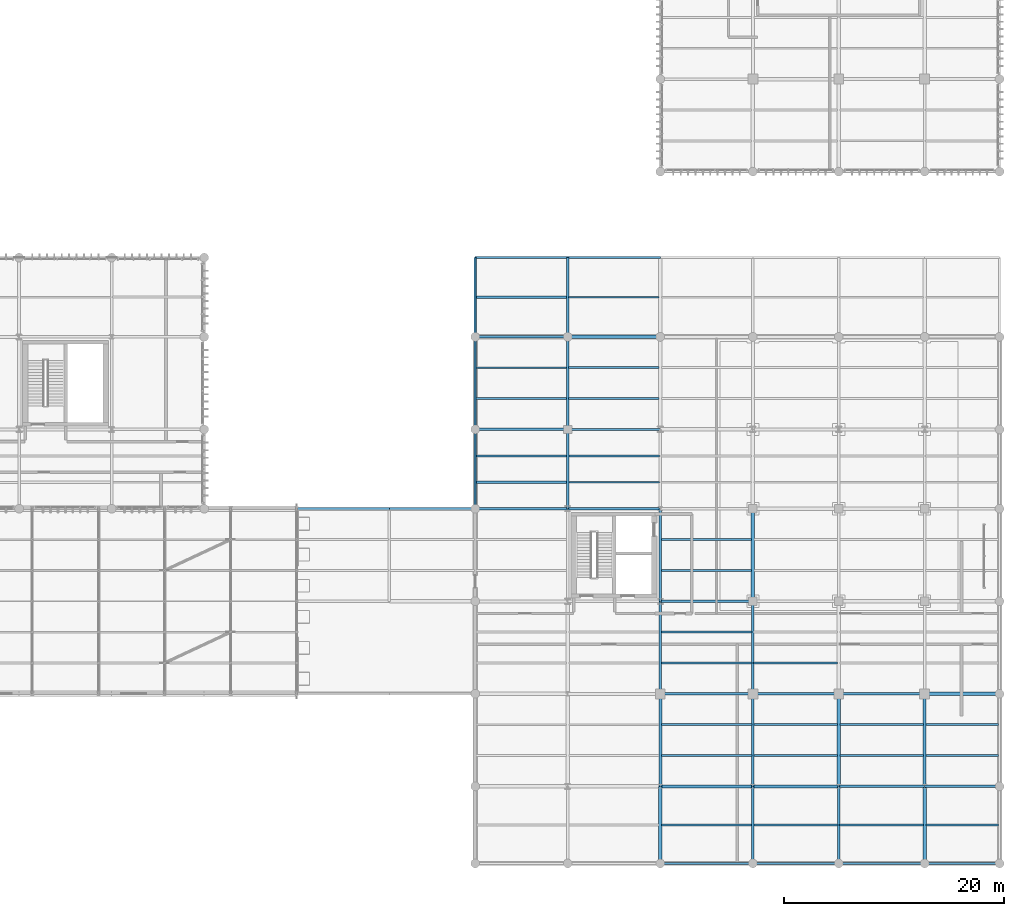
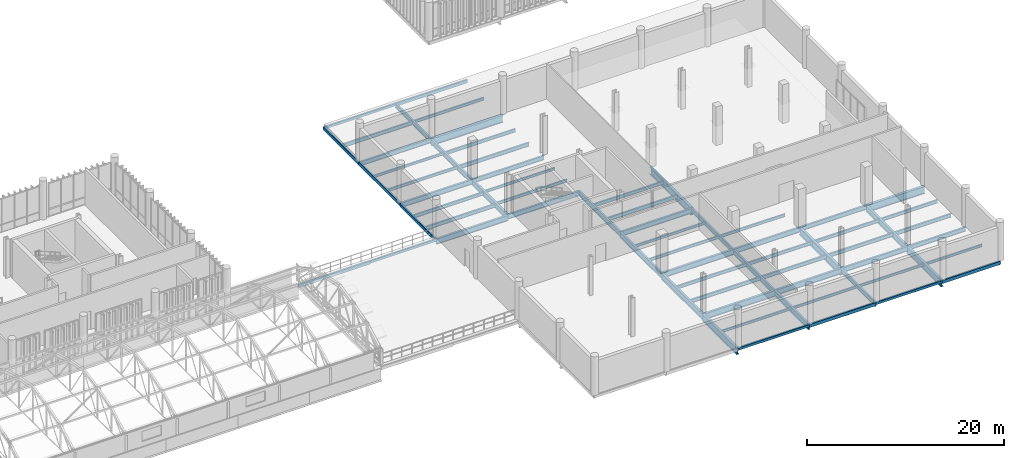
# One storey, part 59 of 109: 68 beams.
"""IFC4 building model written with IfcOpenShell, lengths in metres."""

from ifc_helpers import new_model, si_unit, direction, frame, origin_with_axes, origin_2d_with_axis, place, context, subcontext, project, spatial, hollow_rectangle, i_section, extrude, material, material_profile, profile_set, type_object, element, save


model = new_model("IFC4")

# Units and contexts
model_context = context("Model", 3, precision=1e-05, world=origin_with_axes(), true_north=direction((0.0, 1.0)))
body_context = subcontext(model_context, "Body", "Model", "MODEL_VIEW")
ifc_project = project(units=[si_unit("LENGTHUNIT", "METRE"), si_unit("AREAUNIT", "SQUARE_METRE"), si_unit("VOLUMEUNIT", "CUBIC_METRE"), si_unit("PLANEANGLEUNIT", "RADIAN"), si_unit("MASSUNIT", "GRAM", prefix="KILO"), si_unit("THERMODYNAMICTEMPERATUREUNIT", "KELVIN")], contexts=[model_context])

# Site, building, storey
site_placement = place(None, origin_with_axes())
site = spatial("IfcSite", under=ifc_project, at=site_placement, CompositionType="ELEMENT")
building_placement = place(site_placement, origin_with_axes())
building = spatial("IfcBuilding", under=site, at=building_placement, Name="Montbau Bow Law Courts", CompositionType="ELEMENT")
storey_placement = place(building_placement, frame((0.0, 0.0, 10.8), z_axis=(0.0, 0.0, 1.0), x_axis=(1.0, 0.0, 0.0)))
storey = spatial("IfcBuildingStorey", under=building, at=storey_placement, Name="L02", CompositionType="ELEMENT", Elevation=10.8)

# Beams
ifc_material_1 = material(Name="Steel CSA G40.21 Grade 350W (350 MPa)", Category="steel")
ifc_material_profile_1 = material_profile(ifc_material_1, i_section(OverallWidth=0.306, OverallDepth=0.919, WebThickness=0.0173, FlangeThickness=0.0279, at=origin_2d_with_axis()), Name="W920X253", Category="Main", Priority=0)
ifc_profile_set_1 = profile_set([ifc_material_profile_1], Name="Steel CSA G40.21 Grade 350W (350 MPa)")
beam_type_1 = type_object("IfcBeamType", Name="B-FLR-01", PredefinedType="BEAM", material=ifc_profile_set_1)
beam_1_placement = place(None, frame((162.6, 22.2, 10.12), z_axis=(1.0, 0.0, 0.0), x_axis=(0.0, 1.0, 0.0)))
element("IfcBeam", 1, at=beam_1_placement, inside=storey, type_object=beam_type_1, Name="BM-L02-S1547:bm2_1550", PredefinedType="BEAM", context=body_context, shape_type="SweptSolid", body=[
    extrude(i_section(OverallWidth=0.306, OverallDepth=0.919, WebThickness=0.0173, FlangeThickness=0.0279, at=origin_2d_with_axis()), origin_with_axes(), (0.0, 0.0, 1.0), 6.8),
])
for number, where, z_axis, x_axis, name in (
    (2, (130.2, 54.6, 10.091), (1.0, 0.0, 0.0), (0.0, 1.0, 0.0), "BM-L02-S1567:bm2_1570"),
    (3, (147.0, 30.6, 10.12), (0.0, 1.0, 0.0), (-1.0, 0.0, 0.0), "BM-L02-S1600:bm2_1603"),
    (4, (154.8, 13.8, 10.12), (0.0, 1.0, 0.0), (-1.0, 0.0, 0.0), "BM-L02-S1605:bm2_1608"),
):
    element("IfcBeam", number, at=place(None, frame(where, z_axis=z_axis, x_axis=x_axis)), inside=storey, type_object=beam_type_1, Name=name, PredefinedType="BEAM", context=body_context, shape_type="SweptSolid", body=[
        extrude(i_section(OverallWidth=0.306, OverallDepth=0.919, WebThickness=0.0173, FlangeThickness=0.0279, at=origin_2d_with_axis()), origin_with_axes(), (0.0, 0.0, 1.0), 8.4),
    ])
ifc_material_profile_2 = material_profile(ifc_material_1, i_section(OverallWidth=0.293, OverallDepth=0.846, WebThickness=0.0154, FlangeThickness=0.0244, at=origin_2d_with_axis()), Name="W840X210", Category="Main", Priority=0)
ifc_profile_set_2 = profile_set([ifc_material_profile_2], Name="Steel CSA G40.21 Grade 350W (350 MPa)")
beam_type_2 = type_object("IfcBeamType", Name="B-FLR-02", PredefinedType="BEAM", material=ifc_profile_set_2)
for number, where, z_axis, x_axis, name in (
    (5, (138.6, 6.8, 10.157), (0.0, 1.0, 0.0), (-1.0, 0.0, 0.0), "BM-L02-S1590:bm2_1593"),
    (6, (162.6, 6.8, 10.157), (0.0, 1.0, 0.0), (-1.0, 0.0, 0.0), "BM-L02-S1611:bm2_1614"),
):
    element("IfcBeam", number, at=place(None, frame(where, z_axis=z_axis, x_axis=x_axis)), inside=storey, type_object=beam_type_2, Name=name, PredefinedType="BEAM", context=body_context, shape_type="SweptSolid", body=[
        extrude(i_section(OverallWidth=0.293, OverallDepth=0.846, WebThickness=0.0154, FlangeThickness=0.0244, at=origin_2d_with_axis()), origin_with_axes(), (0.0, 0.0, 1.0), 7.0),
    ])
ifc_material_profile_3 = material_profile(ifc_material_1, i_section(OverallWidth=0.267, OverallDepth=0.766, WebThickness=0.0149, FlangeThickness=0.0236, at=origin_2d_with_axis()), Name="W760X185", Category="Main", Priority=0)
ifc_profile_set_3 = profile_set([ifc_material_profile_3], Name="Steel CSA G40.21 Grade 350W (350 MPa)")
beam_type_3 = type_object("IfcBeamType", Name="B-FLR-03", PredefinedType="BEAM", material=ifc_profile_set_3)
for number, where, z_axis, x_axis, name in (
    (7, (138.6, 13.8, 10.197), (1.0, 0.0, 0.0), (0.0, 1.0, 0.0), "BM-L02-S1538:bm2_1541"),
    (8, (138.6, 13.8, 10.197), (0.0, 1.0, 0.0), (-1.0, 0.0, 0.0), "BM-L02-S1591:bm2_1594"),
    (9, (162.6, 13.8, 10.197), (0.0, 1.0, 0.0), (-1.0, 0.0, 0.0), "BM-L02-S1612:bm2_1615"),
):
    element("IfcBeam", number, at=place(None, frame(where, z_axis=z_axis, x_axis=x_axis)), inside=storey, type_object=beam_type_3, Name=name, PredefinedType="BEAM", context=body_context, shape_type="SweptSolid", body=[
        extrude(i_section(OverallWidth=0.267, OverallDepth=0.766, WebThickness=0.0149, FlangeThickness=0.0236, at=origin_2d_with_axis()), origin_with_axes(), (0.0, 0.0, 1.0), 8.4),
    ])
ifc_material_profile_4 = material_profile(ifc_material_1, i_section(OverallWidth=0.254, OverallDepth=0.688, WebThickness=0.0131, FlangeThickness=0.0211, at=origin_2d_with_axis()), Name="W690X152", Category="Main", Priority=0)
ifc_profile_set_4 = profile_set([ifc_material_profile_4], Name="Steel CSA G40.21 Grade 350W (350 MPa)")
beam_type_4 = type_object("IfcBeamType", Name="B-FLR-04", PredefinedType="BEAM", material=ifc_profile_set_4)
beam_2_placement = place(None, frame((147.0, 13.8, 10.236), z_axis=(1.0, 0.0, 0.0), x_axis=(0.0, 1.0, 0.0)))
element("IfcBeam", 10, at=beam_2_placement, inside=storey, type_object=beam_type_4, Name="BM-L02-S1539:bm2_1542", PredefinedType="BEAM", context=body_context, shape_type="SweptSolid", body=[
    extrude(i_section(OverallWidth=0.254, OverallDepth=0.688, WebThickness=0.0131, FlangeThickness=0.0211, at=origin_2d_with_axis()), origin_with_axes(), (0.0, 0.0, 1.0), 7.8),
])
for number, where, z_axis, x_axis, name in (
    (11, (138.6, 22.2, 10.236), (1.0, 0.0, 0.0), (0.0, 1.0, 0.0), "BM-L02-S1544:bm2_1547"),
    (12, (121.8, 39.0, 10.136), (1.0, 0.0, 0.0), (0.0, 1.0, 0.0), "BM-L02-S1554:bm2_1557"),
):
    element("IfcBeam", number, at=place(None, frame(where, z_axis=z_axis, x_axis=x_axis)), inside=storey, type_object=beam_type_4, Name=name, PredefinedType="BEAM", context=body_context, shape_type="SweptSolid", body=[
        extrude(i_section(OverallWidth=0.254, OverallDepth=0.688, WebThickness=0.0131, FlangeThickness=0.0211, at=origin_2d_with_axis()), origin_with_axes(), (0.0, 0.0, 1.0), 8.4),
    ])
beam_3_placement = place(None, frame((130.2, 39.0, 10.236), z_axis=(0.0, 1.0, 0.0), x_axis=(-1.0, 0.0, 0.0)))
element("IfcBeam", 13, at=beam_3_placement, inside=storey, type_object=beam_type_4, Name="BM-L02-S1587:bm2_1590", PredefinedType="BEAM", context=body_context, shape_type="SweptSolid", body=[
    extrude(i_section(OverallWidth=0.254, OverallDepth=0.688, WebThickness=0.0131, FlangeThickness=0.0211, at=origin_2d_with_axis()), origin_with_axes(), (0.0, 0.0, 1.0), 7.2),
])
beam_4_placement = place(None, frame((138.6, 22.2, 10.236), z_axis=(0.0, 1.0, 0.0), x_axis=(-1.0, 0.0, 0.0)))
element("IfcBeam", 14, at=beam_4_placement, inside=storey, type_object=beam_type_4, Name="BM-L02-S1592:bm2_1595", PredefinedType="BEAM", context=body_context, shape_type="SweptSolid", body=[
    extrude(i_section(OverallWidth=0.254, OverallDepth=0.688, WebThickness=0.0131, FlangeThickness=0.0211, at=origin_2d_with_axis()), origin_with_axes(), (0.0, 0.0, 1.0), 8.4),
])
beam_5_placement = place(None, frame((147.0, 6.8, 10.236), z_axis=(0.0, 1.0, 0.0), x_axis=(-1.0, 0.0, 0.0)))
element("IfcBeam", 15, at=beam_5_placement, inside=storey, type_object=beam_type_4, Name="BM-L02-S1597:bm2_1600", PredefinedType="BEAM", context=body_context, shape_type="SweptSolid", body=[
    extrude(i_section(OverallWidth=0.254, OverallDepth=0.688, WebThickness=0.0131, FlangeThickness=0.0211, at=origin_2d_with_axis()), origin_with_axes(), (0.0, 0.0, 1.0), 7.0),
])
ifc_material_profile_5 = material_profile(ifc_material_1, i_section(OverallWidth=0.229, OverallDepth=0.612, WebThickness=0.0119, FlangeThickness=0.0196, at=origin_2d_with_axis()), Name="W610X125", Category="Main", Priority=0)
ifc_profile_set_5 = profile_set([ifc_material_profile_5], Name="Steel CSA G40.21 Grade 350W (350 MPa)")
beam_type_5 = type_object("IfcBeamType", Name="B-FLR-05", PredefinedType="BEAM", material=ifc_profile_set_5)
for number, where, z_axis, x_axis, name in (
    (16, (154.8, 13.8, 10.274), (1.0, 0.0, 0.0), (0.0, 1.0, 0.0), "BM-L02-S1540:bm2_1543"),
    (17, (147.0, 22.2, 10.274), (1.0, 0.0, 0.0), (0.0, 1.0, 0.0), "BM-L02-S1545:bm2_1548"),
):
    element("IfcBeam", number, at=place(None, frame(where, z_axis=z_axis, x_axis=x_axis)), inside=storey, type_object=beam_type_5, Name=name, PredefinedType="BEAM", context=body_context, shape_type="SweptSolid", body=[
        extrude(i_section(OverallWidth=0.229, OverallDepth=0.612, WebThickness=0.0119, FlangeThickness=0.0196, at=origin_2d_with_axis()), origin_with_axes(), (0.0, 0.0, 1.0), 7.8),
    ])
for number, where, z_axis, x_axis, name in (
    (18, (138.6, 30.6, 10.274), (1.0, 0.0, 0.0), (0.0, 1.0, 0.0), "BM-L02-S1550:bm2_1553"),
    (19, (130.2, 39.0, 10.274), (1.0, 0.0, 0.0), (0.0, 1.0, 0.0), "BM-L02-S1555:bm2_1558"),
    (20, (121.8, 46.2, 10.274), (1.0, 0.0, 0.0), (0.0, 1.0, 0.0), "BM-L02-S1560:bm2_1563"),
    (21, (130.2, 46.2, 10.244), (0.0, 1.0, 0.0), (-1.0, 0.0, 0.0), "BM-L02-S1588:bm2_1591"),
    (22, (138.6, 30.6, 10.274), (0.0, 1.0, 0.0), (-1.0, 0.0, 0.0), "BM-L02-S1593:bm2_1596"),
    (23, (147.0, 13.8, 10.274), (0.0, 1.0, 0.0), (-1.0, 0.0, 0.0), "BM-L02-S1598:bm2_1601"),
):
    element("IfcBeam", number, at=place(None, frame(where, z_axis=z_axis, x_axis=x_axis)), inside=storey, type_object=beam_type_5, Name=name, PredefinedType="BEAM", context=body_context, shape_type="SweptSolid", body=[
        extrude(i_section(OverallWidth=0.229, OverallDepth=0.612, WebThickness=0.0119, FlangeThickness=0.0196, at=origin_2d_with_axis()), origin_with_axes(), (0.0, 0.0, 1.0), 8.4),
    ])
ifc_material_profile_6 = material_profile(ifc_material_1, i_section(OverallWidth=0.21, OverallDepth=0.537, WebThickness=0.0109, FlangeThickness=0.0174, at=origin_2d_with_axis()), Name="W530X101", Category="Main", Priority=0)
ifc_profile_set_6 = profile_set([ifc_material_profile_6], Name="Steel CSA G40.21 Grade 350W (350 MPa)")
beam_type_6 = type_object("IfcBeamType", Name="B-FLR-06", PredefinedType="BEAM", material=ifc_profile_set_6)
beam_6_placement = place(None, frame((162.6, 13.8, 10.312), z_axis=(1.0, 0.0, 0.0), x_axis=(0.0, 1.0, 0.0)))
element("IfcBeam", 24, at=beam_6_placement, inside=storey, type_object=beam_type_6, Name="BM-L02-S1541:bm2_1544", PredefinedType="BEAM", context=body_context, shape_type="SweptSolid", body=[
    extrude(i_section(OverallWidth=0.21, OverallDepth=0.537, WebThickness=0.0109, FlangeThickness=0.0174, at=origin_2d_with_axis()), origin_with_axes(), (0.0, 0.0, 1.0), 6.8),
])
beam_7_placement = place(None, frame((154.8, 22.2, 10.312), z_axis=(1.0, 0.0, 0.0), x_axis=(0.0, 1.0, 0.0)))
element("IfcBeam", 25, at=beam_7_placement, inside=storey, type_object=beam_type_6, Name="BM-L02-S1546:bm2_1549", PredefinedType="BEAM", context=body_context, shape_type="SweptSolid", body=[
    extrude(i_section(OverallWidth=0.21, OverallDepth=0.537, WebThickness=0.0109, FlangeThickness=0.0174, at=origin_2d_with_axis()), origin_with_axes(), (0.0, 0.0, 1.0), 7.8),
])
for number, where, z_axis, x_axis, name in (
    (26, (130.2, 46.2, 10.312), (1.0, 0.0, 0.0), (0.0, 1.0, 0.0), "BM-L02-S1561:bm2_1564"),
    (27, (121.8, 54.6, 10.282), (1.0, 0.0, 0.0), (0.0, 1.0, 0.0), "BM-L02-S1566:bm2_1569"),
):
    element("IfcBeam", number, at=place(None, frame(where, z_axis=z_axis, x_axis=x_axis)), inside=storey, type_object=beam_type_6, Name=name, PredefinedType="BEAM", context=body_context, shape_type="SweptSolid", body=[
        extrude(i_section(OverallWidth=0.21, OverallDepth=0.537, WebThickness=0.0109, FlangeThickness=0.0174, at=origin_2d_with_axis()), origin_with_axes(), (0.0, 0.0, 1.0), 8.4),
    ])
beam_8_placement = place(None, frame((130.2, 54.6, 10.282), z_axis=(0.0, 1.0, 0.0), x_axis=(-1.0, 0.0, 0.0)))
element("IfcBeam", 28, at=beam_8_placement, inside=storey, type_object=beam_type_6, Name="BM-L02-S1589:bm2_1592", PredefinedType="BEAM", context=body_context, shape_type="SweptSolid", body=[
    extrude(i_section(OverallWidth=0.21, OverallDepth=0.537, WebThickness=0.0109, FlangeThickness=0.0174, at=origin_2d_with_axis()), origin_with_axes(), (0.0, 0.0, 1.0), 7.2),
])
beam_9_placement = place(None, frame((147.0, 22.2, 10.312), z_axis=(0.0, 1.0, 0.0), x_axis=(-1.0, 0.0, 0.0)))
element("IfcBeam", 29, at=beam_9_placement, inside=storey, type_object=beam_type_6, Name="BM-L02-S1599:bm2_1602", PredefinedType="BEAM", context=body_context, shape_type="SweptSolid", body=[
    extrude(i_section(OverallWidth=0.21, OverallDepth=0.537, WebThickness=0.0109, FlangeThickness=0.0174, at=origin_2d_with_axis()), origin_with_axes(), (0.0, 0.0, 1.0), 8.4),
])
beam_10_placement = place(None, frame((154.8, 6.8, 10.312), z_axis=(0.0, 1.0, 0.0), x_axis=(-1.0, 0.0, 0.0)))
element("IfcBeam", 30, at=beam_10_placement, inside=storey, type_object=beam_type_6, Name="BM-L02-S1604:bm2_1607", PredefinedType="BEAM", context=body_context, shape_type="SweptSolid", body=[
    extrude(i_section(OverallWidth=0.21, OverallDepth=0.537, WebThickness=0.0109, FlangeThickness=0.0174, at=origin_2d_with_axis()), origin_with_axes(), (0.0, 0.0, 1.0), 7.0),
])
ifc_material_profile_7 = material_profile(ifc_material_1, i_section(OverallWidth=0.191, OverallDepth=0.46, WebThickness=0.0099, FlangeThickness=0.016, at=origin_2d_with_axis()), Name="W460X82", Category="Main", Priority=0)
ifc_profile_set_7 = profile_set([ifc_material_profile_7], Name="Steel CSA G40.21 Grade 350W (350 MPa)")
beam_type_7 = type_object("IfcBeamType", Name="B-JST-01", PredefinedType="JOIST", material=ifc_profile_set_7)
beam_11_placement = place(None, frame((121.88, 41.4, 10.25), z_axis=(1.0, 0.0, 0.0), x_axis=(0.0, 1.0, 0.0)))
element("IfcBeam", 31, at=beam_11_placement, inside=storey, type_object=beam_type_7, Name="JST-L02-S0884:jst2_0884", PredefinedType="JOIST", context=body_context, shape_type="SweptSolid", body=[
    extrude(i_section(OverallWidth=0.191, OverallDepth=0.46, WebThickness=0.0099, FlangeThickness=0.016, at=origin_2d_with_axis()), origin_with_axes(), (0.0, 0.0, 1.0), 8.217),
])
beam_12_placement = place(None, frame((121.88, 58.2, 10.32), z_axis=(1.0, 0.0, 0.0), x_axis=(0.0, 1.0, 0.0)))
element("IfcBeam", 32, at=beam_12_placement, inside=storey, type_object=beam_type_7, Name="JST-L02-S0888:jst2_0888", PredefinedType="JOIST", context=body_context, shape_type="SweptSolid", body=[
    extrude(i_section(OverallWidth=0.191, OverallDepth=0.46, WebThickness=0.0099, FlangeThickness=0.016, at=origin_2d_with_axis()), origin_with_axes(), (0.0, 0.0, 1.0), 8.239),
])
beam_13_placement = place(None, frame((130.29, 49.0, 10.32), z_axis=(1.0, 0.0, 0.0), x_axis=(0.0, 1.0, 0.0)))
element("IfcBeam", 33, at=beam_13_placement, inside=storey, type_object=beam_type_7, Name="JST-L02-S0896:jst2_0896", PredefinedType="JOIST", context=body_context, shape_type="SweptSolid", body=[
    extrude(i_section(OverallWidth=0.191, OverallDepth=0.46, WebThickness=0.0099, FlangeThickness=0.016, at=origin_2d_with_axis()), origin_with_axes(), (0.0, 0.0, 1.0), 8.181),
])
beam_14_placement = place(None, frame((138.709, 16.6, 10.35), z_axis=(1.0, 0.0, 0.0), x_axis=(0.0, 1.0, 0.0)))
element("IfcBeam", 34, at=beam_14_placement, inside=storey, type_object=beam_type_7, Name="JST-L02-S0900:jst2_0900", PredefinedType="JOIST", context=body_context, shape_type="SweptSolid", body=[
    extrude(i_section(OverallWidth=0.191, OverallDepth=0.46, WebThickness=0.0099, FlangeThickness=0.016, at=origin_2d_with_axis()), origin_with_axes(), (0.0, 0.0, 1.0), 8.201),
])
beam_15_placement = place(None, frame((138.69, 33.4, 10.35), z_axis=(1.0, 0.0, 0.0), x_axis=(0.0, 1.0, 0.0)))
element("IfcBeam", 35, at=beam_15_placement, inside=storey, type_object=beam_type_7, Name="JST-L02-S0904:jst2_0904", PredefinedType="JOIST", context=body_context, shape_type="SweptSolid", body=[
    extrude(i_section(OverallWidth=0.191, OverallDepth=0.46, WebThickness=0.0099, FlangeThickness=0.016, at=origin_2d_with_axis()), origin_with_axes(), (0.0, 0.0, 1.0), 8.181),
])
beam_16_placement = place(None, frame((147.09, 16.6, 10.35), z_axis=(1.0, 0.0, 0.0), x_axis=(0.0, 1.0, 0.0)))
element("IfcBeam", 36, at=beam_16_placement, inside=storey, type_object=beam_type_7, Name="JST-L02-S0912:jst2_0912", PredefinedType="JOIST", context=body_context, shape_type="SweptSolid", body=[
    extrude(i_section(OverallWidth=0.191, OverallDepth=0.46, WebThickness=0.0099, FlangeThickness=0.016, at=origin_2d_with_axis()), origin_with_axes(), (0.0, 0.0, 1.0), 7.581),
])
beam_17_placement = place(None, frame((154.929, 16.6, 10.35), z_axis=(1.0, 0.0, 0.0), x_axis=(0.0, 1.0, 0.0)))
element("IfcBeam", 37, at=beam_17_placement, inside=storey, type_object=beam_type_7, Name="JST-L02-S0924:jst2_0924", PredefinedType="JOIST", context=body_context, shape_type="SweptSolid", body=[
    extrude(i_section(OverallWidth=0.191, OverallDepth=0.46, WebThickness=0.0099, FlangeThickness=0.016, at=origin_2d_with_axis()), origin_with_axes(), (0.0, 0.0, 1.0), 7.561),
])
beam_18_placement = place(None, frame((162.709, 16.6, 10.35), z_axis=(1.0, 0.0, 0.0), x_axis=(0.0, 1.0, 0.0)))
element("IfcBeam", 38, at=beam_18_placement, inside=storey, type_object=beam_type_7, Name="JST-L02-S0936:jst2_0936", PredefinedType="JOIST", context=body_context, shape_type="SweptSolid", body=[
    extrude(i_section(OverallWidth=0.191, OverallDepth=0.46, WebThickness=0.0099, FlangeThickness=0.016, at=origin_2d_with_axis()), origin_with_axes(), (0.0, 0.0, 1.0), 6.611),
])
ifc_material_profile_8 = material_profile(ifc_material_1, i_section(OverallWidth=0.179, OverallDepth=0.41, WebThickness=0.0088, FlangeThickness=0.0144, at=origin_2d_with_axis()), Name="W410X67", Category="Main", Priority=0)
ifc_profile_set_8 = profile_set([ifc_material_profile_8], Name="Steel CSA G40.21 Grade 350W (350 MPa)")
beam_type_8 = type_object("IfcBeamType", Name="B-JST-02", PredefinedType="JOIST", material=ifc_profile_set_8)
beam_19_placement = place(None, frame((121.88, 43.8, 10.275), z_axis=(1.0, 0.0, 0.0), x_axis=(0.0, 1.0, 0.0)))
element("IfcBeam", 39, at=beam_19_placement, inside=storey, type_object=beam_type_8, Name="JST-L02-S0885:jst2_0885", PredefinedType="JOIST", context=body_context, shape_type="SweptSolid", body=[
    extrude(i_section(OverallWidth=0.179, OverallDepth=0.41, WebThickness=0.0088, FlangeThickness=0.0144, at=origin_2d_with_axis()), origin_with_axes(), (0.0, 0.0, 1.0), 8.217),
])
beam_20_placement = place(None, frame((130.29, 51.8, 10.345), z_axis=(1.0, 0.0, 0.0), x_axis=(0.0, 1.0, 0.0)))
element("IfcBeam", 40, at=beam_20_placement, inside=storey, type_object=beam_type_8, Name="JST-L02-S0897:jst2_0897", PredefinedType="JOIST", context=body_context, shape_type="SweptSolid", body=[
    extrude(i_section(OverallWidth=0.179, OverallDepth=0.41, WebThickness=0.0088, FlangeThickness=0.0144, at=origin_2d_with_axis()), origin_with_axes(), (0.0, 0.0, 1.0), 8.181),
])
beam_21_placement = place(None, frame((138.709, 19.4, 10.375), z_axis=(1.0, 0.0, 0.0), x_axis=(0.0, 1.0, 0.0)))
element("IfcBeam", 41, at=beam_21_placement, inside=storey, type_object=beam_type_8, Name="JST-L02-S0901:jst2_0901", PredefinedType="JOIST", context=body_context, shape_type="SweptSolid", body=[
    extrude(i_section(OverallWidth=0.179, OverallDepth=0.41, WebThickness=0.0088, FlangeThickness=0.0144, at=origin_2d_with_axis()), origin_with_axes(), (0.0, 0.0, 1.0), 8.201),
])
beam_22_placement = place(None, frame((138.69, 36.2, 10.375), z_axis=(1.0, 0.0, 0.0), x_axis=(0.0, 1.0, 0.0)))
element("IfcBeam", 42, at=beam_22_placement, inside=storey, type_object=beam_type_8, Name="JST-L02-S0905:jst2_0905", PredefinedType="JOIST", context=body_context, shape_type="SweptSolid", body=[
    extrude(i_section(OverallWidth=0.179, OverallDepth=0.41, WebThickness=0.0088, FlangeThickness=0.0144, at=origin_2d_with_axis()), origin_with_axes(), (0.0, 0.0, 1.0), 8.181),
])
beam_23_placement = place(None, frame((147.09, 19.4, 10.375), z_axis=(1.0, 0.0, 0.0), x_axis=(0.0, 1.0, 0.0)))
element("IfcBeam", 43, at=beam_23_placement, inside=storey, type_object=beam_type_8, Name="JST-L02-S0913:jst2_0913", PredefinedType="JOIST", context=body_context, shape_type="SweptSolid", body=[
    extrude(i_section(OverallWidth=0.179, OverallDepth=0.41, WebThickness=0.0088, FlangeThickness=0.0144, at=origin_2d_with_axis()), origin_with_axes(), (0.0, 0.0, 1.0), 7.581),
])
beam_24_placement = place(None, frame((154.929, 19.4, 10.375), z_axis=(1.0, 0.0, 0.0), x_axis=(0.0, 1.0, 0.0)))
element("IfcBeam", 44, at=beam_24_placement, inside=storey, type_object=beam_type_8, Name="JST-L02-S0925:jst2_0925", PredefinedType="JOIST", context=body_context, shape_type="SweptSolid", body=[
    extrude(i_section(OverallWidth=0.179, OverallDepth=0.41, WebThickness=0.0088, FlangeThickness=0.0144, at=origin_2d_with_axis()), origin_with_axes(), (0.0, 0.0, 1.0), 7.561),
])
beam_25_placement = place(None, frame((162.709, 19.4, 10.375), z_axis=(1.0, 0.0, 0.0), x_axis=(0.0, 1.0, 0.0)))
element("IfcBeam", 45, at=beam_25_placement, inside=storey, type_object=beam_type_8, Name="JST-L02-S0937:jst2_0937", PredefinedType="JOIST", context=body_context, shape_type="SweptSolid", body=[
    extrude(i_section(OverallWidth=0.179, OverallDepth=0.41, WebThickness=0.0088, FlangeThickness=0.0144, at=origin_2d_with_axis()), origin_with_axes(), (0.0, 0.0, 1.0), 6.611),
])
ifc_material_profile_9 = material_profile(ifc_material_1, i_section(OverallWidth=0.172, OverallDepth=0.358, WebThickness=0.0079, FlangeThickness=0.0131, at=origin_2d_with_axis()), Name="W360X57", Category="Main", Priority=0)
ifc_profile_set_9 = profile_set([ifc_material_profile_9], Name="Steel CSA G40.21 Grade 350W (350 MPa)")
beam_type_9 = type_object("IfcBeamType", Name="B-JST-03", PredefinedType="JOIST", material=ifc_profile_set_9)
beam_26_placement = place(None, frame((121.88, 49.0, 10.371), z_axis=(1.0, 0.0, 0.0), x_axis=(0.0, 1.0, 0.0)))
element("IfcBeam", 46, at=beam_26_placement, inside=storey, type_object=beam_type_9, Name="JST-L02-S0886:jst2_0886", PredefinedType="JOIST", context=body_context, shape_type="SweptSolid", body=[
    extrude(i_section(OverallWidth=0.172, OverallDepth=0.358, WebThickness=0.0079, FlangeThickness=0.0131, at=origin_2d_with_axis()), origin_with_axes(), (0.0, 0.0, 1.0), 8.229),
])
beam_27_placement = place(None, frame((130.303, 41.4, 10.401), z_axis=(1.0, 0.0, 0.0), x_axis=(0.0, 1.0, 0.0)))
element("IfcBeam", 47, at=beam_27_placement, inside=storey, type_object=beam_type_9, Name="JST-L02-S0894:jst2_0894", PredefinedType="JOIST", context=body_context, shape_type="SweptSolid", body=[
    extrude(i_section(OverallWidth=0.172, OverallDepth=0.358, WebThickness=0.0079, FlangeThickness=0.0131, at=origin_2d_with_axis()), origin_with_axes(), (0.0, 0.0, 1.0), 8.216),
])
beam_28_placement = place(None, frame((130.281, 58.2, 10.371), z_axis=(1.0, 0.0, 0.0), x_axis=(0.0, 1.0, 0.0)))
element("IfcBeam", 48, at=beam_28_placement, inside=storey, type_object=beam_type_9, Name="JST-L02-S0898:jst2_0898", PredefinedType="JOIST", context=body_context, shape_type="SweptSolid", body=[
    extrude(i_section(OverallWidth=0.172, OverallDepth=0.358, WebThickness=0.0079, FlangeThickness=0.0131, at=origin_2d_with_axis()), origin_with_axes(), (0.0, 0.0, 1.0), 8.196),
])
beam_29_placement = place(None, frame((138.703, 25.0, 10.401), z_axis=(1.0, 0.0, 0.0), x_axis=(0.0, 1.0, 0.0)))
element("IfcBeam", 49, at=beam_29_placement, inside=storey, type_object=beam_type_9, Name="JST-L02-S0902:jst2_0902", PredefinedType="JOIST", context=body_context, shape_type="SweptSolid", body=[
    extrude(i_section(OverallWidth=0.172, OverallDepth=0.358, WebThickness=0.0079, FlangeThickness=0.0131, at=origin_2d_with_axis()), origin_with_axes(), (0.0, 0.0, 1.0), 8.216),
])
beam_30_placement = place(None, frame((147.081, 25.0, 10.401), z_axis=(1.0, 0.0, 0.0), x_axis=(0.0, 1.0, 0.0)))
element("IfcBeam", 50, at=beam_30_placement, inside=storey, type_object=beam_type_9, Name="JST-L02-S0914:jst2_0914", PredefinedType="JOIST", context=body_context, shape_type="SweptSolid", body=[
    extrude(i_section(OverallWidth=0.172, OverallDepth=0.358, WebThickness=0.0079, FlangeThickness=0.0131, at=origin_2d_with_axis()), origin_with_axes(), (0.0, 0.0, 1.0), 7.597),
])
ifc_material_profile_10 = material_profile(ifc_material_1, i_section(OverallWidth=0.166, OverallDepth=0.313, WebThickness=0.0066, FlangeThickness=0.0112, at=origin_2d_with_axis()), Name="W310X45", Category="Main", Priority=0)
ifc_profile_set_10 = profile_set([ifc_material_profile_10], Name="Steel CSA G40.21 Grade 350W (350 MPa)")
beam_type_10 = type_object("IfcBeamType", Name="B-JST-04", PredefinedType="JOIST", material=ifc_profile_set_10)
beam_31_placement = place(None, frame((121.88, 51.8, 10.394), z_axis=(1.0, 0.0, 0.0), x_axis=(0.0, 1.0, 0.0)))
element("IfcBeam", 51, at=beam_31_placement, inside=storey, type_object=beam_type_10, Name="JST-L02-S0887:jst2_0887", PredefinedType="JOIST", context=body_context, shape_type="SweptSolid", body=[
    extrude(i_section(OverallWidth=0.166, OverallDepth=0.313, WebThickness=0.0066, FlangeThickness=0.0112, at=origin_2d_with_axis()), origin_with_axes(), (0.0, 0.0, 1.0), 8.229),
])
beam_32_placement = place(None, frame((130.303, 43.8, 10.424), z_axis=(1.0, 0.0, 0.0), x_axis=(0.0, 1.0, 0.0)))
element("IfcBeam", 52, at=beam_32_placement, inside=storey, type_object=beam_type_10, Name="JST-L02-S0895:jst2_0895", PredefinedType="JOIST", context=body_context, shape_type="SweptSolid", body=[
    extrude(i_section(OverallWidth=0.166, OverallDepth=0.313, WebThickness=0.0066, FlangeThickness=0.0112, at=origin_2d_with_axis()), origin_with_axes(), (0.0, 0.0, 1.0), 8.216),
])
beam_33_placement = place(None, frame((138.722, 10.3, 10.424), z_axis=(1.0, 0.0, 0.0), x_axis=(0.0, 1.0, 0.0)))
element("IfcBeam", 53, at=beam_33_placement, inside=storey, type_object=beam_type_10, Name="JST-L02-S0899:jst2_0899", PredefinedType="JOIST", context=body_context, shape_type="SweptSolid", body=[
    extrude(i_section(OverallWidth=0.166, OverallDepth=0.313, WebThickness=0.0066, FlangeThickness=0.0112, at=origin_2d_with_axis()), origin_with_axes(), (0.0, 0.0, 1.0), 8.175),
])
beam_34_placement = place(None, frame((138.703, 27.8, 10.424), z_axis=(1.0, 0.0, 0.0), x_axis=(0.0, 1.0, 0.0)))
element("IfcBeam", 54, at=beam_34_placement, inside=storey, type_object=beam_type_10, Name="JST-L02-S0903:jst2_0903", PredefinedType="JOIST", context=body_context, shape_type="SweptSolid", body=[
    extrude(i_section(OverallWidth=0.166, OverallDepth=0.313, WebThickness=0.0066, FlangeThickness=0.0112, at=origin_2d_with_axis()), origin_with_axes(), (0.0, 0.0, 1.0), 8.216),
])
beam_35_placement = place(None, frame((147.103, 10.3, 10.424), z_axis=(1.0, 0.0, 0.0), x_axis=(0.0, 1.0, 0.0)))
element("IfcBeam", 55, at=beam_35_placement, inside=storey, type_object=beam_type_10, Name="JST-L02-S0911:jst2_0911", PredefinedType="JOIST", context=body_context, shape_type="SweptSolid", body=[
    extrude(i_section(OverallWidth=0.166, OverallDepth=0.313, WebThickness=0.0066, FlangeThickness=0.0112, at=origin_2d_with_axis()), origin_with_axes(), (0.0, 0.0, 1.0), 7.616),
])
beam_36_placement = place(None, frame((154.881, 10.3, 10.424), z_axis=(1.0, 0.0, 0.0), x_axis=(0.0, 1.0, 0.0)))
element("IfcBeam", 56, at=beam_36_placement, inside=storey, type_object=beam_type_10, Name="JST-L02-S0923:jst2_0923", PredefinedType="JOIST", context=body_context, shape_type="SweptSolid", body=[
    extrude(i_section(OverallWidth=0.166, OverallDepth=0.313, WebThickness=0.0066, FlangeThickness=0.0112, at=origin_2d_with_axis()), origin_with_axes(), (0.0, 0.0, 1.0), 7.596),
])
beam_37_placement = place(None, frame((162.722, 10.3, 10.424), z_axis=(1.0, 0.0, 0.0), x_axis=(0.0, 1.0, 0.0)))
element("IfcBeam", 57, at=beam_37_placement, inside=storey, type_object=beam_type_10, Name="JST-L02-S0935:jst2_0935", PredefinedType="JOIST", context=body_context, shape_type="SweptSolid", body=[
    extrude(i_section(OverallWidth=0.166, OverallDepth=0.313, WebThickness=0.0066, FlangeThickness=0.0112, at=origin_2d_with_axis()), origin_with_axes(), (0.0, 0.0, 1.0), 6.598),
])
ifc_material_2 = material(Name="Steel CSA G40.21 Grade 350WT (350 MPa)", Category="steel")
ifc_material_profile_11 = material_profile(ifc_material_2, hollow_rectangle(XDim=0.203, YDim=0.406, WallThickness=0.0127, InnerFilletRadius=0.0254, OuterFilletRadius=0.0127, at=origin_2d_with_axis()), Name="HSS406X203X13", Category="Main", Priority=0)
ifc_profile_set_11 = profile_set([ifc_material_profile_11], Name="Steel CSA G40.21 Grade 350WT (350 MPa)")
beam_type_11 = type_object("IfcBeamType", Name="B-SPN-01", PredefinedType="SPANDREL", material=ifc_profile_set_11)
beam_38_placement = place(None, frame((105.6, 39.0, 10.277), z_axis=(1.0, 0.0, 0.0), x_axis=(0.0, 1.0, 0.0)))
element("IfcBeam", 58, at=beam_38_placement, inside=storey, type_object=beam_type_11, Name="SPN-L02-S0481:bm2_0484", PredefinedType="SPANDREL", context=body_context, shape_type="SweptSolid", body=[
    extrude(hollow_rectangle(XDim=0.203, YDim=0.406, WallThickness=0.0127, InnerFilletRadius=0.0254, OuterFilletRadius=0.0127, at=origin_2d_with_axis()), origin_with_axes(), (0.0, 0.0, 1.0), 8.4),
])
beam_39_placement = place(None, frame((147.0, 6.8, 10.377), z_axis=(1.0, 0.0, 0.0), x_axis=(0.0, 1.0, 0.0)))
element("IfcBeam", 59, at=beam_39_placement, inside=storey, type_object=beam_type_11, Name="SPN-L02-S1533:bm2_1536", PredefinedType="SPANDREL", context=body_context, shape_type="SweptSolid", body=[
    extrude(hollow_rectangle(XDim=0.203, YDim=0.406, WallThickness=0.0127, InnerFilletRadius=0.0254, OuterFilletRadius=0.0127, at=origin_2d_with_axis()), origin_with_axes(), (0.0, 0.0, 1.0), 7.8),
])
beam_40_placement = place(None, frame((162.6, 6.8, 10.377), z_axis=(1.0, 0.0, 0.0), x_axis=(0.0, 1.0, 0.0)))
element("IfcBeam", 60, at=beam_40_placement, inside=storey, type_object=beam_type_11, Name="SPN-L02-S1535:bm2_1538", PredefinedType="SPANDREL", context=body_context, shape_type="SweptSolid", body=[
    extrude(hollow_rectangle(XDim=0.203, YDim=0.406, WallThickness=0.0127, InnerFilletRadius=0.0254, OuterFilletRadius=0.0127, at=origin_2d_with_axis()), origin_with_axes(), (0.0, 0.0, 1.0), 6.8),
])
beam_41_placement = place(None, frame((130.2, 61.8, 10.347), z_axis=(1.0, 0.0, 0.0), x_axis=(0.0, 1.0, 0.0)))
element("IfcBeam", 61, at=beam_41_placement, inside=storey, type_object=beam_type_11, Name="SPN-L02-S1573:bm2_1576", PredefinedType="SPANDREL", context=body_context, shape_type="SweptSolid", body=[
    extrude(hollow_rectangle(XDim=0.203, YDim=0.406, WallThickness=0.0127, InnerFilletRadius=0.0254, OuterFilletRadius=0.0127, at=origin_2d_with_axis()), origin_with_axes(), (0.0, 0.0, 1.0), 8.4),
])
beam_42_placement = place(None, frame((121.8, 39.0, 10.277), z_axis=(0.0, 1.0, 0.0), x_axis=(-1.0, 0.0, 0.0)))
element("IfcBeam", 62, at=beam_42_placement, inside=storey, type_object=beam_type_11, Name="SPN-L02-S1580:bm2_1583", PredefinedType="SPANDREL", context=body_context, shape_type="SweptSolid", body=[
    extrude(hollow_rectangle(XDim=0.203, YDim=0.406, WallThickness=0.0127, InnerFilletRadius=0.0254, OuterFilletRadius=0.0127, at=origin_2d_with_axis()), origin_with_axes(), (0.0, 0.0, 1.0), 7.2),
])
beam_43_placement = place(None, frame((121.8, 46.2, 10.347), z_axis=(0.0, 1.0, 0.0), x_axis=(-1.0, 0.0, 0.0)))
element("IfcBeam", 63, at=beam_43_placement, inside=storey, type_object=beam_type_11, Name="SPN-L02-S1581:bm2_1584", PredefinedType="SPANDREL", context=body_context, shape_type="SweptSolid", body=[
    extrude(hollow_rectangle(XDim=0.203, YDim=0.406, WallThickness=0.0127, InnerFilletRadius=0.0254, OuterFilletRadius=0.0127, at=origin_2d_with_axis()), origin_with_axes(), (0.0, 0.0, 1.0), 8.4),
])
beam_44_placement = place(None, frame((121.8, 54.6, 10.347), z_axis=(0.0, 1.0, 0.0), x_axis=(-1.0, 0.0, 0.0)))
element("IfcBeam", 64, at=beam_44_placement, inside=storey, type_object=beam_type_11, Name="SPN-L02-S1582:bm2_1585", PredefinedType="SPANDREL", context=body_context, shape_type="SweptSolid", body=[
    extrude(hollow_rectangle(XDim=0.203, YDim=0.406, WallThickness=0.0127, InnerFilletRadius=0.0254, OuterFilletRadius=0.0127, at=origin_2d_with_axis()), origin_with_axes(), (0.0, 0.0, 1.0), 7.2),
])
ifc_material_profile_12 = material_profile(ifc_material_2, hollow_rectangle(XDim=0.203, YDim=0.305, WallThickness=0.0127, InnerFilletRadius=0.0254, OuterFilletRadius=0.0127, at=origin_2d_with_axis()), Name="HSS305X203X13", Category="Main", Priority=0)
ifc_profile_set_12 = profile_set([ifc_material_profile_12], Name="Steel CSA G40.21 Grade 350WT (350 MPa)")
beam_type_12 = type_object("IfcBeamType", Name="B-SPN-02", PredefinedType="SPANDREL", material=ifc_profile_set_12)
beam_45_placement = place(None, frame((114.0, 39.0, 10.328), z_axis=(1.0, 0.0, 0.0), x_axis=(0.0, 1.0, 0.0)))
element("IfcBeam", 65, at=beam_45_placement, inside=storey, type_object=beam_type_12, Name="SPN-L02-S0482:bm2_0485", PredefinedType="SPANDREL", context=body_context, shape_type="SweptSolid", body=[
    extrude(hollow_rectangle(XDim=0.203, YDim=0.305, WallThickness=0.0127, InnerFilletRadius=0.0254, OuterFilletRadius=0.0127, at=origin_2d_with_axis()), origin_with_axes(), (0.0, 0.0, 1.0), 7.8),
])
beam_46_placement = place(None, frame((138.6, 6.8, 10.428), z_axis=(1.0, 0.0, 0.0), x_axis=(0.0, 1.0, 0.0)))
element("IfcBeam", 66, at=beam_46_placement, inside=storey, type_object=beam_type_12, Name="SPN-L02-S1532:bm2_1535", PredefinedType="SPANDREL", context=body_context, shape_type="SweptSolid", body=[
    extrude(hollow_rectangle(XDim=0.203, YDim=0.305, WallThickness=0.0127, InnerFilletRadius=0.0254, OuterFilletRadius=0.0127, at=origin_2d_with_axis()), origin_with_axes(), (0.0, 0.0, 1.0), 8.4),
])
beam_47_placement = place(None, frame((154.8, 6.8, 10.428), z_axis=(1.0, 0.0, 0.0), x_axis=(0.0, 1.0, 0.0)))
element("IfcBeam", 67, at=beam_47_placement, inside=storey, type_object=beam_type_12, Name="SPN-L02-S1534:bm2_1537", PredefinedType="SPANDREL", context=body_context, shape_type="SweptSolid", body=[
    extrude(hollow_rectangle(XDim=0.203, YDim=0.305, WallThickness=0.0127, InnerFilletRadius=0.0254, OuterFilletRadius=0.0127, at=origin_2d_with_axis()), origin_with_axes(), (0.0, 0.0, 1.0), 7.8),
])
beam_48_placement = place(None, frame((121.8, 61.8, 10.398), z_axis=(1.0, 0.0, 0.0), x_axis=(0.0, 1.0, 0.0)))
element("IfcBeam", 68, at=beam_48_placement, inside=storey, type_object=beam_type_12, Name="SPN-L02-S1572:bm2_1575", PredefinedType="SPANDREL", context=body_context, shape_type="SweptSolid", body=[
    extrude(hollow_rectangle(XDim=0.203, YDim=0.305, WallThickness=0.0127, InnerFilletRadius=0.0254, OuterFilletRadius=0.0127, at=origin_2d_with_axis()), origin_with_axes(), (0.0, 0.0, 1.0), 8.4),
])

save(model, "model.ifc")
